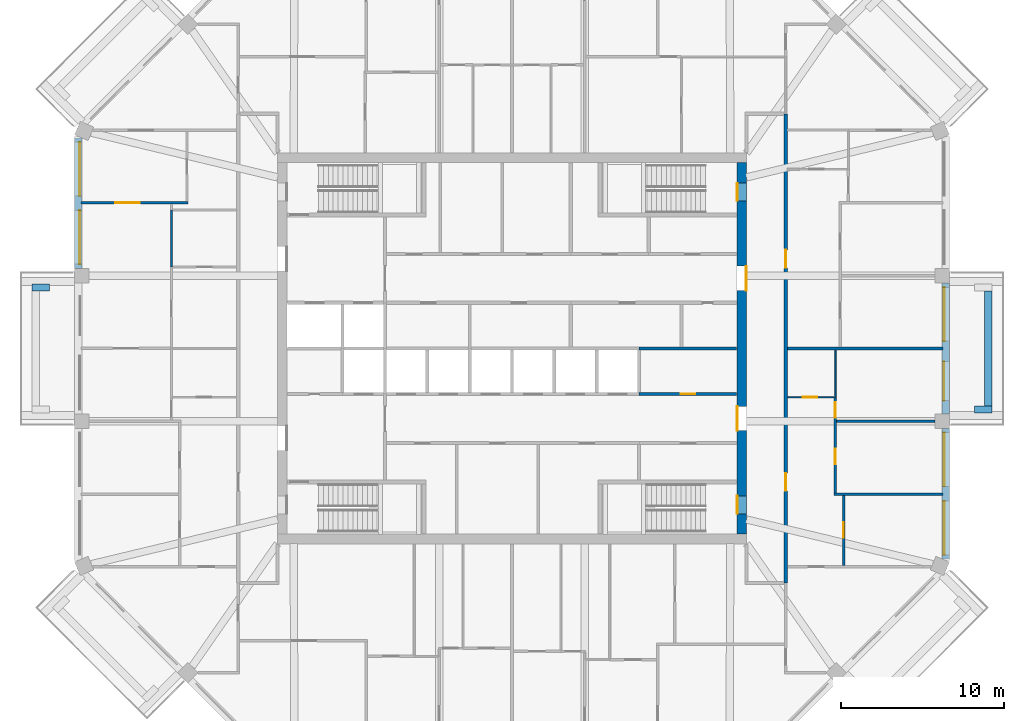
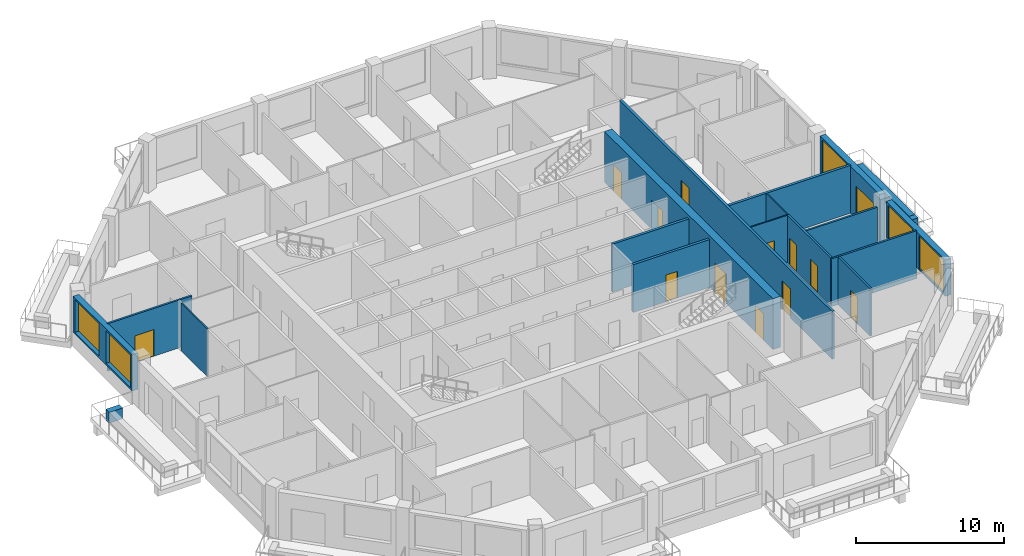
# One storey, part 6 of 12: 19 walls, 13 doors, 5 windows, 18 openings.
"""IFC4 building model written with IfcOpenShell, lengths in metres."""

from ifc_helpers import new_model, si_unit, direction, frame, frame_2d, origin, place, context, subcontext, project, spatial, rectangle, extrude, material, layer, layer_set, type_object, element, fill, save


model = new_model("IFC4")

# Units and contexts
model_context = context("Model", 3, precision=1e-05, world=origin(), true_north=direction((0.0, 1.0)))
body_context = subcontext(model_context, "Body", "Model", "MODEL_VIEW")
ifc_project = project(units=[si_unit("LENGTHUNIT", "METRE"), si_unit("AREAUNIT", "SQUARE_METRE"), si_unit("VOLUMEUNIT", "CUBIC_METRE"), si_unit("PLANEANGLEUNIT", "RADIAN"), si_unit("MASSUNIT", "GRAM", prefix="KILO")], contexts=[model_context])

# Site, building, storey
site_placement = place(None, origin())
site = spatial("IfcSite", under=ifc_project, at=site_placement, CompositionType="ELEMENT")
building_placement = place(site_placement, origin())
building = spatial("IfcBuilding", under=site, at=building_placement, Name="Msitu Wima Residences", CompositionType="ELEMENT")
storey_placement = place(building_placement, frame((0.0, 0.0, 251.699951171875)))
storey = spatial("IfcBuildingStorey", under=building, at=storey_placement, Name="L58", CompositionType="ELEMENT", Elevation=251.699951171875)

# Walls
ifc_material_1 = material(Name="Facing brick")
ifc_layer_1 = layer(ifc_material_1, 0.06494140625, Name="Facing brick")
ifc_material_2 = material(Name="Concrete C40/50", Category="concrete")
ifc_layer_2 = layer(ifc_material_2, 0.156005859375, Name="Concrete C40/50")
ifc_material_3 = material(Name="Waterproofing membrane")
ifc_layer_3 = layer(ifc_material_3, 0.00390625, Name="Waterproofing membrane")
ifc_material_4 = material(Name="Planting soil and planting")
ifc_layer_4 = layer(ifc_material_4, 0.22509765625, Name="Planting soil and planting")
ifc_layer_set_1 = layer_set([ifc_layer_1, ifc_layer_2, ifc_layer_3, ifc_layer_4], Name="Concrete C40/50")
wall_type_1 = type_object("IfcWallType", Name="Balcony planter PLANTER PL450", PredefinedType="USERDEFINED", material=ifc_layer_set_1)
wall_1_placement = place(storey_placement, frame((29.22509765625, -3.5185546875, 0.0), z_axis=(0.0, 0.0, 1.0), x_axis=(0.0, 1.0, 0.0)))
element("IfcWall", 1, at=wall_1_placement, inside=storey, type_object=wall_type_1, Name="Balcony planter E1 L58", ObjectType="PLANTER", PredefinedType="USERDEFINED", context=body_context, shape_type="SweptSolid", body=[
    extrude(rectangle(XDim=7.037109375, YDim=0.449951171875, at=frame_2d((3.5185546875, 0.0))), origin(), (0.0, 0.0, 1.0), 0.900146484375),
])
for number, where, z_axis, x_axis, name in (
    (2, (28.39990234375, -3.74365234375, 0.0), (0.0, 0.0, 1.0), (1.0, 0.0, 0.0), "Balcony planter E1 L58"),
    (3, (-28.39990234375, 3.74365234375, 0.0), (0.0, 0.0, 1.0), (-1.0, 0.0, 0.0), "Balcony planter W1 L58"),
):
    element("IfcWall", number, at=place(storey_placement, frame(where, z_axis=z_axis, x_axis=x_axis)), inside=storey, type_object=wall_type_1, Name=name, ObjectType="PLANTER", PredefinedType="USERDEFINED", context=body_context, shape_type="SweptSolid", body=[
        extrude(rectangle(XDim=1.050048828125, YDim=0.449951171875, at=frame_2d((0.52490234375, 0.0))), origin(), (0.0, 0.0, 1.0), 0.900146484375),
    ])

# Wall, openings, windows
ifc_material_5 = material(Name="Brick (red buff mix)", Category="masonry")
ifc_layer_5 = layer(ifc_material_5, 0.449951171875)
ifc_layer_set_2 = layer_set([ifc_layer_5], Name="Brick (red buff mix)")
wall_type_2 = type_object("IfcWallType", Name="Brick infill wall BW450", PredefinedType="SOLIDWALL", material=ifc_layer_set_2)
wall_2_placement = place(storey_placement, frame((26.625, -12.918701171875, 0.900146484375), z_axis=(0.0, 0.0, 1.0), x_axis=(0.0, 1.0, 0.0)))
wall_2 = element("IfcWall", 4, at=wall_2_placement, inside=storey, type_object=wall_type_2, Name="Brick infill wall L58 E0", PredefinedType="SOLIDWALL", context=body_context, shape_type="SweptSolid", body=[
    extrude(rectangle(XDim=8.0, YDim=0.449951171875, at=frame_2d((4.0, 0.0))), origin(), (0.0, 0.0, 1.0), 3.0),
])
opening_1_placement = place(wall_2_placement, frame((0.25, 0.0, 0.14990234375)))
opening_1 = element("IfcOpeningElement", 5, at=opening_1_placement, cuts=wall_2, Name="Opening W57-59.001", PredefinedType="OPENING", context=body_context, shape_type="SweptSolid", body=[
    extrude(rectangle(XDim=3.300048828125, YDim=2.699951171875, at=frame_2d((1.64990234375, 1.35009765625))), frame((0.0, 0.23486328125, 0.0), z_axis=(0.0, -1.0, 0.0), x_axis=(1.0, 0.0, 0.0)), (0.0, 0.0, 1.0), 0.469970703125),
])
opening_2_placement = place(wall_2_placement, frame((4.4501953125, 0.0, 0.14990234375)))
opening_2 = element("IfcOpeningElement", 6, at=opening_2_placement, cuts=wall_2, Name="Opening W57-59.002", PredefinedType="OPENING", context=body_context, shape_type="SweptSolid", body=[
    extrude(rectangle(XDim=3.300048828125, YDim=2.699951171875, at=frame_2d((1.64990234375, 1.35009765625))), frame((0.0, 0.23486328125, 0.0), z_axis=(0.0, -1.0, 0.0), x_axis=(1.0, 0.0, 0.0)), (0.0, 0.0, 1.0), 0.469970703125),
])
ifc_material_6 = material(Name="Anodised aluminium, bronze finish, clear low-emissivity double glazing", Category="aluminium")
window_type = type_object("IfcWindowType", Name="Window W3300x2700", PartitioningType="DOUBLE_PANEL_VERTICAL", PredefinedType="WINDOW", material=ifc_material_6)
window_1_placement = place(opening_1_placement, origin())
window_1 = element("IfcWindow", 7, at=window_1_placement, inside=storey, type_object=window_type, Name="Window L58 E0.1", OverallHeight=2.699951171875, OverallWidth=3.300048828125, PartitioningType="SINGLE_PANEL", PredefinedType="WINDOW", context=body_context, shape_type="SweptSolid", body=[
    extrude(rectangle(XDim=3.300048828125, YDim=2.699951171875, at=frame_2d((1.64990234375, 1.35009765625))), frame((0.0, 0.135009765625, 0.0), z_axis=(0.0, -1.0, 0.0), x_axis=(1.0, 0.0, 0.0)), (0.0, 0.0, 1.0), 0.06005859375),
])
fill(opening_1, window_1)
window_2_placement = place(opening_2_placement, origin())
window_2 = element("IfcWindow", 8, at=window_2_placement, inside=storey, type_object=window_type, Name="Window L58 E0.2", OverallHeight=2.699951171875, OverallWidth=3.300048828125, PartitioningType="SINGLE_PANEL", PredefinedType="WINDOW", context=body_context, shape_type="SweptSolid", body=[
    extrude(rectangle(XDim=3.300048828125, YDim=2.699951171875, at=frame_2d((1.64990234375, 1.35009765625))), frame((0.0, 0.135009765625, 0.0), z_axis=(0.0, -1.0, 0.0), x_axis=(1.0, 0.0, 0.0)), (0.0, 0.0, 1.0), 0.06005859375),
])
fill(opening_2, window_2)

# Wall, openings, door, window
wall_3_placement = place(storey_placement, frame((26.625, -4.0185546875, 0.0), z_axis=(0.0, 0.0, 1.0), x_axis=(0.0, 1.0, 0.0)))
wall_3 = element("IfcWall", 9, at=wall_3_placement, inside=storey, type_object=wall_type_2, Name="Brick infill wall L58 E1", PredefinedType="SOLIDWALL", context=body_context, shape_type="SweptSolid", body=[
    extrude(rectangle(XDim=8.037109375, YDim=0.449951171875, at=frame_2d((4.0185546875, 0.0))), origin(), (0.0, 0.0, 1.0), 3.900146484375),
])
opening_3_placement = place(wall_3_placement, frame((0.809326171875, 0.0, 0.0)))
opening_3 = element("IfcOpeningElement", 10, at=opening_3_placement, cuts=wall_3, Name="Opening D57-59.001", PredefinedType="OPENING", context=body_context, shape_type="SweptSolid", body=[
    extrude(rectangle(XDim=2.39990234375, YDim=2.699951171875, at=frame_2d((1.199951171875, 1.35009765625))), frame((0.0, 0.23486328125, 0.0), z_axis=(0.0, -1.0, 0.0), x_axis=(1.0, 0.0, 0.0)), (0.0, 0.0, 1.0), 0.469970703125),
])
opening_4_placement = place(wall_3_placement, frame((4.46875, 0.0, 1.050048828125)))
opening_4 = element("IfcOpeningElement", 11, at=opening_4_placement, cuts=wall_3, Name="Opening W57-59.003", PredefinedType="OPENING", context=body_context, shape_type="SweptSolid", body=[
    extrude(rectangle(XDim=3.300048828125, YDim=2.699951171875, at=frame_2d((1.64990234375, 1.35009765625))), frame((0.0, 0.23486328125, 0.0), z_axis=(0.0, -1.0, 0.0), x_axis=(1.0, 0.0, 0.0)), (0.0, 0.0, 1.0), 0.469970703125),
])
door_type_1 = type_object("IfcDoorType", Name="Balcony door D2400x2700", OperationType="SLIDING_TO_LEFT", PredefinedType="DOOR", material=ifc_material_6)
door_1_placement = place(opening_3_placement, origin())
door_1 = element("IfcDoor", 12, at=door_1_placement, inside=storey, type_object=door_type_1, Name="Balcony door L58 E1", OperationType="SINGLE_SWING_LEFT", OverallHeight=2.699951171875, OverallWidth=2.39990234375, PredefinedType="DOOR", context=body_context, shape_type="SweptSolid", body=[
    extrude(rectangle(XDim=2.39990234375, YDim=2.699951171875, at=frame_2d((1.199951171875, 1.35009765625))), frame((0.0, 0.1298828125, 0.0), z_axis=(0.0, -1.0, 0.0), x_axis=(1.0, 0.0, 0.0)), (0.0, 0.0, 1.0), 0.050048828125),
])
fill(opening_3, door_1)
window_3_placement = place(opening_4_placement, origin())
window_3 = element("IfcWindow", 13, at=window_3_placement, inside=storey, type_object=window_type, Name="Window L58 E1.2", OverallHeight=2.699951171875, OverallWidth=3.300048828125, PartitioningType="SINGLE_PANEL", PredefinedType="WINDOW", context=body_context, shape_type="SweptSolid", body=[
    extrude(rectangle(XDim=3.300048828125, YDim=2.699951171875, at=frame_2d((1.64990234375, 1.35009765625))), frame((0.0, 0.135009765625, 0.0), z_axis=(0.0, -1.0, 0.0), x_axis=(1.0, 0.0, 0.0)), (0.0, 0.0, 1.0), 0.06005859375),
])
fill(opening_4, window_3)

# Wall, openings, windows
wall_4_placement = place(storey_placement, frame((-26.625, 12.918701171875, 0.900146484375), z_axis=(0.0, 0.0, 1.0), x_axis=(0.0, -1.0, 0.0)))
wall_4 = element("IfcWall", 14, at=wall_4_placement, inside=storey, type_object=wall_type_2, Name="Brick infill wall L58 W0", PredefinedType="SOLIDWALL", context=body_context, shape_type="SweptSolid", body=[
    extrude(rectangle(XDim=8.0, YDim=0.449951171875, at=frame_2d((4.0, 0.0))), origin(), (0.0, 0.0, 1.0), 3.0),
])
opening_5_placement = place(wall_4_placement, frame((0.25, 0.0, 0.14990234375)))
opening_5 = element("IfcOpeningElement", 15, at=opening_5_placement, cuts=wall_4, Name="Opening W57-59.026", PredefinedType="OPENING", context=body_context, shape_type="SweptSolid", body=[
    extrude(rectangle(XDim=3.300048828125, YDim=2.699951171875, at=frame_2d((1.64990234375, 1.35009765625))), frame((0.0, 0.23486328125, 0.0), z_axis=(0.0, -1.0, 0.0), x_axis=(1.0, 0.0, 0.0)), (0.0, 0.0, 1.0), 0.469970703125),
])
opening_6_placement = place(wall_4_placement, frame((4.4501953125, 0.0, 0.14990234375)))
opening_6 = element("IfcOpeningElement", 16, at=opening_6_placement, cuts=wall_4, Name="Opening W57-59.027", PredefinedType="OPENING", context=body_context, shape_type="SweptSolid", body=[
    extrude(rectangle(XDim=3.300048828125, YDim=2.699951171875, at=frame_2d((1.64990234375, 1.35009765625))), frame((0.0, 0.23486328125, 0.0), z_axis=(0.0, -1.0, 0.0), x_axis=(1.0, 0.0, 0.0)), (0.0, 0.0, 1.0), 0.469970703125),
])
window_4_placement = place(opening_5_placement, origin())
window_4 = element("IfcWindow", 17, at=window_4_placement, inside=storey, type_object=window_type, Name="Window L58 W0.1", OverallHeight=2.699951171875, OverallWidth=3.300048828125, PartitioningType="SINGLE_PANEL", PredefinedType="WINDOW", context=body_context, shape_type="SweptSolid", body=[
    extrude(rectangle(XDim=3.300048828125, YDim=2.699951171875, at=frame_2d((1.64990234375, 1.35009765625))), frame((0.0, 0.135009765625, 0.0), z_axis=(0.0, -1.0, 0.0), x_axis=(1.0, 0.0, 0.0)), (0.0, 0.0, 1.0), 0.06005859375),
])
fill(opening_5, window_4)
window_5_placement = place(opening_6_placement, origin())
window_5 = element("IfcWindow", 18, at=window_5_placement, inside=storey, type_object=window_type, Name="Window L58 W0.2", OverallHeight=2.699951171875, OverallWidth=3.300048828125, PartitioningType="SINGLE_PANEL", PredefinedType="WINDOW", context=body_context, shape_type="SweptSolid", body=[
    extrude(rectangle(XDim=3.300048828125, YDim=2.699951171875, at=frame_2d((1.64990234375, 1.35009765625))), frame((0.0, 0.135009765625, 0.0), z_axis=(0.0, -1.0, 0.0), x_axis=(1.0, 0.0, 0.0)), (0.0, 0.0, 1.0), 0.06005859375),
])
fill(opening_6, window_5)

# Wall, openings, doors
ifc_material_7 = material(Name="Concrete C50/60", Category="concrete")
ifc_layer_6 = layer(ifc_material_7, 0.60009765625)
ifc_layer_set_3 = layer_set([ifc_layer_6], Name="Concrete C50/60")
wall_type_3 = type_object("IfcWallType", Name="Core wall CW600 C50/60", PredefinedType="SHEAR", material=ifc_layer_set_3)
wall_5_placement = place(storey_placement, frame((14.10009765625, -11.39990234375, 0.0), z_axis=(0.0, 0.0, 1.0), x_axis=(0.0, 1.0, 0.0)))
wall_5 = element("IfcWall", 19, at=wall_5_placement, inside=storey, type_object=wall_type_3, Name="Core wall", PredefinedType="SHEAR", context=body_context, shape_type="SweptSolid", body=[
    extrude(rectangle(XDim=22.7998046875, YDim=0.60009765625, at=frame_2d((11.39990234375, 0.0))), origin(), (0.0, 0.0, 1.0), 4.199951171875),
])
opening_7_placement = place(wall_5_placement, frame((20.449951171875, 0.0, 0.0)))
opening_7 = element("IfcOpeningElement", 20, at=opening_7_placement, cuts=wall_5, Name="Opening D57-59.088", PredefinedType="OPENING", context=body_context, shape_type="SweptSolid", body=[
    extrude(rectangle(XDim=1.10009765625, YDim=2.199951171875, at=frame_2d((0.550048828125, 1.10009765625))), frame((0.0, 0.31005859375, 0.0), z_axis=(0.0, -1.0, 0.0), x_axis=(1.0, 0.0, 0.0)), (0.0, 0.0, 1.0), 0.6201171875),
])
opening_8_placement = place(wall_5_placement, frame((1.25, 0.0, 0.0)))
opening_8 = element("IfcOpeningElement", 21, at=opening_8_placement, cuts=wall_5, Name="Opening D57-59.089", PredefinedType="OPENING", context=body_context, shape_type="SweptSolid", body=[
    extrude(rectangle(XDim=1.10009765625, YDim=2.199951171875, at=frame_2d((0.550048828125, 1.10009765625))), frame((0.0, 0.31005859375, 0.0), z_axis=(0.0, -1.0, 0.0), x_axis=(1.0, 0.0, 0.0)), (0.0, 0.0, 1.0), 0.6201171875),
])
opening_9_placement = place(wall_5_placement, frame((14.949951171875, 0.0, 0.0)))
opening_9 = element("IfcOpeningElement", 22, at=opening_9_placement, cuts=wall_5, Name="Opening D57-59.077", PredefinedType="OPENING", context=body_context, shape_type="SweptSolid", body=[
    extrude(rectangle(XDim=1.5, YDim=2.39990234375, at=frame_2d((0.75, 1.199951171875))), frame((0.0, 0.31005859375, 0.0), z_axis=(0.0, -1.0, 0.0), x_axis=(1.0, 0.0, 0.0)), (0.0, 0.0, 1.0), 0.6201171875),
])
opening_10_placement = place(wall_5_placement, frame((6.35009765625, 0.0, 0.0)))
opening_10 = element("IfcOpeningElement", 23, at=opening_10_placement, cuts=wall_5, Name="Opening D57-59.078", PredefinedType="OPENING", context=body_context, shape_type="SweptSolid", body=[
    extrude(rectangle(XDim=1.5, YDim=2.39990234375, at=frame_2d((0.75, 1.199951171875))), frame((0.0, 0.31005859375, 0.0), z_axis=(0.0, -1.0, 0.0), x_axis=(1.0, 0.0, 0.0)), (0.0, 0.0, 1.0), 0.6201171875),
])
ifc_material_8 = material(Name="Steel framed glazed door, fire resisting", Category="steel")
door_type_2 = type_object("IfcDoorType", Name="Lobby door D07 1500x2400", OperationType="DOUBLE_DOOR_SINGLE_SWING", PredefinedType="DOOR", material=ifc_material_8)
door_2_placement = place(opening_9_placement, origin())
door_2 = element("IfcDoor", 24, at=door_2_placement, inside=storey, type_object=door_type_2, Name="Lobby door", OperationType="DOUBLE_DOOR_SINGLE_SWING", OverallHeight=2.39990234375, OverallWidth=1.5, PredefinedType="DOOR", context=body_context, shape_type="SweptSolid", body=[
    extrude(rectangle(XDim=1.5, YDim=2.39990234375, at=frame_2d((0.75, 1.199951171875))), frame((0.0, -0.2451171875, 0.0), z_axis=(0.0, -1.0, 0.0), x_axis=(1.0, 0.0, 0.0)), (0.0, 0.0, 1.0), 0.050048828125),
])
fill(opening_9, door_2)
door_3_placement = place(opening_10_placement, origin())
door_3 = element("IfcDoor", 25, at=door_3_placement, inside=storey, type_object=door_type_2, Name="Lobby door", OperationType="DOUBLE_DOOR_SINGLE_SWING", OverallHeight=2.39990234375, OverallWidth=1.5, PredefinedType="DOOR", context=body_context, shape_type="SweptSolid", body=[
    extrude(rectangle(XDim=1.5, YDim=2.39990234375, at=frame_2d((0.75, 1.199951171875))), frame((0.0, 0.294921875, 0.0), z_axis=(0.0, -1.0, 0.0), x_axis=(1.0, 0.0, 0.0)), (0.0, 0.0, 1.0), 0.050048828125),
])
fill(opening_10, door_3)
ifc_material_9 = material(Name="Steel door, fire resisting, panic bar", Category="steel")
door_type_3 = type_object("IfcDoorType", Name="Stair door D06 1100x2200", OperationType="SINGLE_SWING_LEFT", PredefinedType="DOOR", material=ifc_material_9)
door_4_placement = place(opening_7_placement, origin())
door_4 = element("IfcDoor", 26, at=door_4_placement, inside=storey, type_object=door_type_3, Name="Stair door", OperationType="SINGLE_SWING_LEFT", OverallHeight=2.199951171875, OverallWidth=1.10009765625, PredefinedType="DOOR", context=body_context, shape_type="SweptSolid", body=[
    extrude(rectangle(XDim=1.10009765625, YDim=2.199951171875, at=frame_2d((0.550048828125, 1.10009765625))), frame((0.0, 0.294921875, 0.0), z_axis=(0.0, -1.0, 0.0), x_axis=(1.0, 0.0, 0.0)), (0.0, 0.0, 1.0), 0.050048828125),
])
fill(opening_7, door_4)
door_5_placement = place(opening_8_placement, origin())
door_5 = element("IfcDoor", 27, at=door_5_placement, inside=storey, type_object=door_type_3, Name="Stair door", OperationType="SINGLE_SWING_RIGHT", OverallHeight=2.199951171875, OverallWidth=1.10009765625, PredefinedType="DOOR", context=body_context, shape_type="SweptSolid", body=[
    extrude(rectangle(XDim=1.10009765625, YDim=2.199951171875, at=frame_2d((0.550048828125, 1.10009765625))), frame((0.0, 0.294921875, 0.0), z_axis=(0.0, -1.0, 0.0), x_axis=(1.0, 0.0, 0.0)), (0.0, 0.0, 1.0), 0.050048828125),
])
fill(opening_8, door_5)

ifc_material_10 = material(Name="Plaster")
ifc_layer_7 = layer(ifc_material_10, 0.011962890625, Name="Plaster")
ifc_material_11 = material(Name="Concrete blockwork", Category="masonry")
ifc_layer_8 = layer(ifc_material_11, 0.176025390625, Name="Concrete blockwork")
ifc_layer_9 = layer(ifc_material_10, 0.011962890625, Name="Plaster")
ifc_layer_set_4 = layer_set([ifc_layer_7, ifc_layer_8, ifc_layer_9], Name="Concrete blockwork")
wall_type_4 = type_object("IfcWallType", Name="Corridor wall FW200", PredefinedType="PARTITIONING", material=ifc_layer_set_4)
wall_6_placement = place(storey_placement, frame((16.800048828125, -14.39990234375, 0.0), z_axis=(0.0, 0.0, 1.0), x_axis=(0.0, 1.0, 0.0)))
wall_6 = element("IfcWall", 28, at=wall_6_placement, inside=storey, type_object=wall_type_4, Name="Corridor wall", PredefinedType="PARTITIONING", context=body_context, shape_type="SweptSolid", body=[
    extrude(rectangle(XDim=28.7998046875, YDim=0.199951171875, at=frame_2d((14.39990234375, 0.0))), origin(), (0.0, 0.0, 1.0), 3.949951171875),
])
opening_11_placement = place(wall_6_placement, frame((19.35009765625, 0.0, 0.0)))
opening_11 = element("IfcOpeningElement", 29, at=opening_11_placement, cuts=wall_6, Name="Opening D57-59.011", PredefinedType="OPENING", context=body_context, shape_type="SweptSolid", body=[
    extrude(rectangle(XDim=1.10009765625, YDim=2.39990234375, at=frame_2d((0.550048828125, 1.199951171875))), frame((0.0, 0.10986328125, 0.0), z_axis=(0.0, -1.0, 0.0), x_axis=(1.0, 0.0, 0.0)), (0.0, 0.0, 1.0), 0.219970703125),
])
opening_12_placement = place(wall_6_placement, frame((5.64990234375, 0.0, 0.0)))
opening_12 = element("IfcOpeningElement", 30, at=opening_12_placement, cuts=wall_6, Name="Opening D57-59.050", PredefinedType="OPENING", context=body_context, shape_type="SweptSolid", body=[
    extrude(rectangle(XDim=1.10009765625, YDim=2.39990234375, at=frame_2d((0.550048828125, 1.199951171875))), frame((0.0, 0.10986328125, 0.0), z_axis=(0.0, -1.0, 0.0), x_axis=(1.0, 0.0, 0.0)), (0.0, 0.0, 1.0), 0.219970703125),
])
ifc_material_12 = material(Name="Timber flush door, fire resisting, self-closing", Category="wood")
door_type_4 = type_object("IfcDoorType", Name="Flat entrance door D01 1100x2400", OperationType="SINGLE_SWING_LEFT", PredefinedType="DOOR", material=ifc_material_12)
door_6_placement = place(opening_11_placement, origin())
door_6 = element("IfcDoor", 31, at=door_6_placement, inside=storey, type_object=door_type_4, Name="Flat entrance door", OperationType="SINGLE_SWING_LEFT", OverallHeight=2.39990234375, OverallWidth=1.10009765625, PredefinedType="DOOR", context=body_context, shape_type="SweptSolid", body=[
    extrude(rectangle(XDim=1.10009765625, YDim=2.39990234375, at=frame_2d((0.550048828125, 1.199951171875))), frame((0.0, 0.02490234375, 0.0), z_axis=(0.0, -1.0, 0.0), x_axis=(1.0, 0.0, 0.0)), (0.0, 0.0, 1.0), 0.050048828125),
])
fill(opening_11, door_6)
door_7_placement = place(opening_12_placement, origin())
door_7 = element("IfcDoor", 32, at=door_7_placement, inside=storey, type_object=door_type_4, Name="Flat entrance door", OperationType="SINGLE_SWING_RIGHT", OverallHeight=2.39990234375, OverallWidth=1.10009765625, PredefinedType="DOOR", context=body_context, shape_type="SweptSolid", body=[
    extrude(rectangle(XDim=1.10009765625, YDim=2.39990234375, at=frame_2d((0.550048828125, 1.199951171875))), frame((0.0, 0.02490234375, 0.0), z_axis=(0.0, -1.0, 0.0), x_axis=(1.0, 0.0, 0.0)), (0.0, 0.0, 1.0), 0.050048828125),
])
fill(opening_12, door_7)

# Wall, opening, door
ifc_layer_10 = layer(ifc_material_10, 0.011962890625, Name="Plaster")
ifc_layer_11 = layer(ifc_material_11, 0.1259765625, Name="Concrete blockwork")
ifc_layer_12 = layer(ifc_material_10, 0.011962890625, Name="Plaster")
ifc_layer_set_5 = layer_set([ifc_layer_10, ifc_layer_11, ifc_layer_12], Name="Concrete blockwork")
wall_type_5 = type_object("IfcWallType", Name="Partition PW150", PredefinedType="PARTITIONING", material=ifc_layer_set_5)
wall_7_placement = place(storey_placement, frame((-26.455078125, 8.937255859375, 0.0), z_axis=(0.0, 0.0, 1.0), x_axis=(1.0, 0.0, 0.0)))
wall_7 = element("IfcWall", 33, at=wall_7_placement, inside=storey, type_object=wall_type_5, Name="Partition", PredefinedType="PARTITIONING", context=body_context, shape_type="SweptSolid", body=[
    extrude(rectangle(XDim=6.580078125, YDim=0.14990234375, at=frame_2d((3.2900390625, 0.0))), origin(), (0.0, 0.0, 1.0), 3.949951171875),
])
opening_13_placement = place(wall_7_placement, frame((2.10009765625, 0.0, 0.0)))
opening_13 = element("IfcOpeningElement", 34, at=opening_13_placement, cuts=wall_7, Name="Opening D57-59.047", PredefinedType="OPENING", context=body_context, shape_type="SweptSolid", body=[
    extrude(rectangle(XDim=1.5, YDim=2.199951171875, at=frame_2d((0.75, 1.10009765625))), frame((0.0, 0.0849609375, 0.0), z_axis=(0.0, -1.0, 0.0), x_axis=(1.0, 0.0, 0.0)), (0.0, 0.0, 1.0), 0.169921875),
])
ifc_material_13 = material(Name="Timber double door", Category="wood")
door_type_5 = type_object("IfcDoorType", Name="Double door D04 1500x2200", OperationType="DOUBLE_DOOR_SINGLE_SWING", PredefinedType="DOOR", material=ifc_material_13)
door_8_placement = place(opening_13_placement, origin())
door_8 = element("IfcDoor", 35, at=door_8_placement, inside=storey, type_object=door_type_5, Name="Double door", OperationType="DOUBLE_DOOR_SINGLE_SWING", OverallHeight=2.199951171875, OverallWidth=1.5, PredefinedType="DOOR", context=body_context, shape_type="SweptSolid", body=[
    extrude(rectangle(XDim=1.5, YDim=2.199951171875, at=frame_2d((0.75, 1.10009765625))), frame((0.0, 0.02490234375, 0.0), z_axis=(0.0, -1.0, 0.0), x_axis=(1.0, 0.0, 0.0)), (0.0, 0.0, 1.0), 0.050048828125),
])
fill(opening_13, door_8)

# Wall, openings, doors
wall_8_placement = place(storey_placement, frame((19.85009765625, -8.8623046875, 0.0), z_axis=(0.0, 0.0, 1.0), x_axis=(0.0, 1.0, 0.0)))
wall_8 = element("IfcWall", 36, at=wall_8_placement, inside=storey, type_object=wall_type_5, Name="Partition", PredefinedType="PARTITIONING", context=body_context, shape_type="SweptSolid", body=[
    extrude(rectangle(XDim=5.8623046875, YDim=0.14990234375, at=frame_2d((2.93115234375, 0.0))), origin(), (0.0, 0.0, 1.0), 3.949951171875),
])
opening_14_placement = place(wall_8_placement, frame((4.60009765625, 0.0, 0.0)))
opening_14 = element("IfcOpeningElement", 37, at=opening_14_placement, cuts=wall_8, Name="Opening D57-59.055", PredefinedType="OPENING", context=body_context, shape_type="SweptSolid", body=[
    extrude(rectangle(XDim=0.949951171875, YDim=2.199951171875, at=frame_2d((0.47509765625, 1.10009765625))), frame((0.0, 0.0849609375, 0.0), z_axis=(0.0, -1.0, 0.0), x_axis=(1.0, 0.0, 0.0)), (0.0, 0.0, 1.0), 0.169921875),
])
opening_15_placement = place(wall_8_placement, frame((1.75, 0.0, 0.0)))
opening_15 = element("IfcOpeningElement", 38, at=opening_15_placement, cuts=wall_8, Name="Opening D57-59.056", PredefinedType="OPENING", context=body_context, shape_type="SweptSolid", body=[
    extrude(rectangle(XDim=0.949951171875, YDim=2.199951171875, at=frame_2d((0.47509765625, 1.10009765625))), frame((0.0, 0.0849609375, 0.0), z_axis=(0.0, -1.0, 0.0), x_axis=(1.0, 0.0, 0.0)), (0.0, 0.0, 1.0), 0.169921875),
])
ifc_material_14 = material(Name="Timber flush door", Category="wood")
door_type_6 = type_object("IfcDoorType", Name="Room door D12 950x2200", OperationType="SINGLE_SWING_LEFT", PredefinedType="DOOR", material=ifc_material_14)
door_9_placement = place(opening_14_placement, origin())
door_9 = element("IfcDoor", 39, at=door_9_placement, inside=storey, type_object=door_type_6, Name="Room door", OperationType="SINGLE_SWING_RIGHT", OverallHeight=2.199951171875, OverallWidth=0.949951171875, PredefinedType="DOOR", context=body_context, shape_type="SweptSolid", body=[
    extrude(rectangle(XDim=0.949951171875, YDim=2.199951171875, at=frame_2d((0.47509765625, 1.10009765625))), frame((0.0, 0.02490234375, 0.0), z_axis=(0.0, -1.0, 0.0), x_axis=(1.0, 0.0, 0.0)), (0.0, 0.0, 1.0), 0.050048828125),
])
fill(opening_14, door_9)
door_10_placement = place(opening_15_placement, origin())
door_10 = element("IfcDoor", 40, at=door_10_placement, inside=storey, type_object=door_type_6, Name="Room door", OperationType="SINGLE_SWING_LEFT", OverallHeight=2.199951171875, OverallWidth=0.949951171875, PredefinedType="DOOR", context=body_context, shape_type="SweptSolid", body=[
    extrude(rectangle(XDim=0.949951171875, YDim=2.199951171875, at=frame_2d((0.47509765625, 1.10009765625))), frame((0.0, 0.02490234375, 0.0), z_axis=(0.0, -1.0, 0.0), x_axis=(1.0, 0.0, 0.0)), (0.0, 0.0, 1.0), 0.050048828125),
])
fill(opening_15, door_10)

# Walls
wall_9_placement = place(storey_placement, frame((19.77490234375, -8.937255859375, 0.0), z_axis=(0.0, 0.0, 1.0), x_axis=(1.0, 0.0, 0.0)))
element("IfcWall", 41, at=wall_9_placement, inside=storey, type_object=wall_type_5, Name="Partition", PredefinedType="PARTITIONING", context=body_context, shape_type="SweptSolid", body=[
    extrude(rectangle(XDim=6.68017578125, YDim=0.14990234375, at=frame_2d((3.340087890625, 0.0))), origin(), (0.0, 0.0, 1.0), 3.949951171875),
])
wall_10_placement = place(storey_placement, frame((19.925048828125, -4.46875, 0.0), z_axis=(0.0, 0.0, 1.0), x_axis=(1.0, 0.0, 0.0)))
element("IfcWall", 42, at=wall_10_placement, inside=storey, type_object=wall_type_5, Name="Partition", PredefinedType="PARTITIONING", context=body_context, shape_type="SweptSolid", body=[
    extrude(rectangle(XDim=6.02490234375, YDim=0.14990234375, at=frame_2d((3.012451171875, 0.0))), origin(), (0.0, 0.0, 1.0), 3.35009765625),
])

# Wall, opening, door
wall_11_placement = place(storey_placement, frame((20.35009765625, -13.330810546875, 0.0), z_axis=(0.0, 0.0, 1.0), x_axis=(0.0, 1.0, 0.0)))
wall_11 = element("IfcWall", 43, at=wall_11_placement, inside=storey, type_object=wall_type_5, Name="Partition", PredefinedType="PARTITIONING", context=body_context, shape_type="SweptSolid", body=[
    extrude(rectangle(XDim=4.318603515625, YDim=0.14990234375, at=frame_2d((2.1591796875, 0.0))), origin(), (0.0, 0.0, 1.0), 3.949951171875),
])
opening_16_placement = place(wall_11_placement, frame((1.699951171875, 0.0, 0.0)))
opening_16 = element("IfcOpeningElement", 44, at=opening_16_placement, cuts=wall_11, Name="Opening D57-59.057", PredefinedType="OPENING", context=body_context, shape_type="SweptSolid", body=[
    extrude(rectangle(XDim=0.949951171875, YDim=2.199951171875, at=frame_2d((0.47509765625, 1.10009765625))), frame((0.0, 0.0849609375, 0.0), z_axis=(0.0, -1.0, 0.0), x_axis=(1.0, 0.0, 0.0)), (0.0, 0.0, 1.0), 0.169921875),
])
door_11_placement = place(opening_16_placement, origin())
door_11 = element("IfcDoor", 45, at=door_11_placement, inside=storey, type_object=door_type_6, Name="Room door", OperationType="SINGLE_SWING_LEFT", OverallHeight=2.199951171875, OverallWidth=0.949951171875, PredefinedType="DOOR", context=body_context, shape_type="SweptSolid", body=[
    extrude(rectangle(XDim=0.949951171875, YDim=2.199951171875, at=frame_2d((0.47509765625, 1.10009765625))), frame((0.0, 0.02490234375, 0.0), z_axis=(0.0, -1.0, 0.0), x_axis=(1.0, 0.0, 0.0)), (0.0, 0.0, 1.0), 0.050048828125),
])
fill(opening_16, door_11)

# Wall
ifc_layer_13 = layer(ifc_material_10, 0.011962890625, Name="Plaster")
ifc_material_15 = material(Name="Dense concrete blockwork", Category="masonry")
ifc_layer_14 = layer(ifc_material_15, 0.176025390625, Name="Dense concrete blockwork")
ifc_layer_15 = layer(ifc_material_10, 0.011962890625, Name="Plaster")
ifc_layer_set_6 = layer_set([ifc_layer_13, ifc_layer_14, ifc_layer_15], Name="Dense concrete blockwork")
wall_type_6 = type_object("IfcWallType", Name="Party wall PW200", PredefinedType="PARTITIONING", material=ifc_layer_set_6)
wall_12_placement = place(storey_placement, frame((16.89990234375, 0.0, 0.0), z_axis=(0.0, 0.0, 1.0), x_axis=(1.0, 0.0, 0.0)))
element("IfcWall", 46, at=wall_12_placement, inside=storey, type_object=wall_type_6, Name="Party wall", PredefinedType="PARTITIONING", context=body_context, shape_type="SweptSolid", body=[
    extrude(rectangle(XDim=9.55517578125, YDim=0.199951171875, at=frame_2d((4.777587890625, 0.0))), origin(), (0.0, 0.0, 1.0), 3.949951171875),
])

# Wall, opening, door
ifc_layer_16 = layer(ifc_material_10, 0.011962890625, Name="Plaster")
ifc_material_16 = material(Name="Reinforced concrete blockwork", Category="masonry")
ifc_layer_17 = layer(ifc_material_16, 0.176025390625, Name="Reinforced concrete blockwork")
ifc_layer_18 = layer(ifc_material_10, 0.011962890625, Name="Plaster")
ifc_layer_set_7 = layer_set([ifc_layer_16, ifc_layer_17, ifc_layer_18], Name="Reinforced concrete blockwork")
wall_type_7 = type_object("IfcWallType", Name="Plant and riser wall PL200", PredefinedType="PARTITIONING", material=ifc_layer_set_7)
wall_13_placement = place(storey_placement, frame((7.800048828125, -2.800048828125, 0.0), z_axis=(0.0, 0.0, 1.0), x_axis=(1.0, 0.0, 0.0)))
wall_13 = element("IfcWall", 47, at=wall_13_placement, inside=storey, type_object=wall_type_7, Name="Plant and riser wall", PredefinedType="PARTITIONING", context=body_context, shape_type="SweptSolid", body=[
    extrude(rectangle(XDim=5.969970703125, YDim=0.199951171875, at=frame_2d((2.98486328125, 0.0))), origin(), (0.0, 0.0, 1.0), 3.949951171875),
])
opening_17_placement = place(wall_13_placement, frame((2.550048828125, 0.0, 0.0)))
opening_17 = element("IfcOpeningElement", 48, at=opening_17_placement, cuts=wall_13, Name="Opening D57-59.063", PredefinedType="OPENING", context=body_context, shape_type="SweptSolid", body=[
    extrude(rectangle(XDim=0.89990234375, YDim=2.199951171875, at=frame_2d((0.449951171875, 1.10009765625))), frame((0.0, 0.10986328125, 0.0), z_axis=(0.0, -1.0, 0.0), x_axis=(1.0, 0.0, 0.0)), (0.0, 0.0, 1.0), 0.219970703125),
])
door_type_7 = type_object("IfcDoorType", Name="Service door D05 900x2200", OperationType="SINGLE_SWING_LEFT", PredefinedType="DOOR", material=ifc_material_14)
door_12_placement = place(opening_17_placement, origin())
door_12 = element("IfcDoor", 49, at=door_12_placement, inside=storey, type_object=door_type_7, Name="Service door", OperationType="SINGLE_SWING_LEFT", OverallHeight=2.199951171875, OverallWidth=0.89990234375, PredefinedType="DOOR", context=body_context, shape_type="SweptSolid", body=[
    extrude(rectangle(XDim=0.89990234375, YDim=2.199951171875, at=frame_2d((0.449951171875, 1.10009765625))), frame((0.0, 0.02490234375, 0.0), z_axis=(0.0, -1.0, 0.0), x_axis=(1.0, 0.0, 0.0)), (0.0, 0.0, 1.0), 0.050048828125),
])
fill(opening_17, door_12)

# Walls
wall_14_placement = place(storey_placement, frame((7.800048828125, 0.0, 0.0), z_axis=(0.0, 0.0, 1.0), x_axis=(1.0, 0.0, 0.0)))
element("IfcWall", 50, at=wall_14_placement, inside=storey, type_object=wall_type_7, Name="Plant and riser wall", PredefinedType="PARTITIONING", context=body_context, shape_type="SweptSolid", body=[
    extrude(rectangle(XDim=5.969970703125, YDim=0.199951171875, at=frame_2d((2.98486328125, 0.0))), origin(), (0.0, 0.0, 1.0), 3.949951171875),
])
ifc_material_17 = material(Name="Ceramic tiles")
ifc_layer_19 = layer(ifc_material_17, 0.008056640625, Name="Ceramic tiles")
ifc_material_18 = material(Name="Moisture-resistant board")
ifc_layer_20 = layer(ifc_material_18, 0.012451171875, Name="Moisture-resistant board")
ifc_material_19 = material(Name="Light-gauge stud framing with mineral wool")
ifc_layer_21 = layer(ifc_material_19, 0.06689453125, Name="Light-gauge stud framing with mineral wool")
ifc_layer_22 = layer(ifc_material_18, 0.012451171875, Name="Moisture-resistant board")
ifc_layer_set_8 = layer_set([ifc_layer_19, ifc_layer_20, ifc_layer_21, ifc_layer_22], Name="Light-gauge stud framing with mineral wool")
wall_type_8 = type_object("IfcWallType", Name="Wet wall PW100", PredefinedType="PARTITIONING", material=ifc_layer_set_8)
wall_15_placement = place(storey_placement, frame((-20.89990234375, 5.0, 0.0), z_axis=(0.0, 0.0, 1.0), x_axis=(0.0, 1.0, 0.0)))
element("IfcWall", 51, at=wall_15_placement, inside=storey, type_object=wall_type_8, Name="Wet wall", PredefinedType="PARTITIONING", context=body_context, shape_type="SweptSolid", body=[
    extrude(rectangle(XDim=3.5, YDim=0.10009765625, at=frame_2d((1.75, 0.0))), origin(), (0.0, 0.0, 1.0), 3.949951171875),
])

# Wall, opening, door
wall_16_placement = place(storey_placement, frame((16.89990234375, -3.0, 0.0), z_axis=(0.0, 0.0, 1.0), x_axis=(1.0, 0.0, 0.0)))
wall_16 = element("IfcWall", 52, at=wall_16_placement, inside=storey, type_object=wall_type_8, Name="Wet wall", PredefinedType="PARTITIONING", context=body_context, shape_type="SweptSolid", body=[
    extrude(rectangle(XDim=2.875, YDim=0.10009765625, at=frame_2d((1.4375, 0.0))), origin(), (0.0, 0.0, 1.0), 3.949951171875),
])
opening_18_placement = place(wall_16_placement, frame((0.949951171875, 0.0, 0.0)))
opening_18 = element("IfcOpeningElement", 53, at=opening_18_placement, cuts=wall_16, Name="Opening D57-59.051", PredefinedType="OPENING", context=body_context, shape_type="SweptSolid", body=[
    extrude(rectangle(XDim=0.89990234375, YDim=2.199951171875, at=frame_2d((0.449951171875, 1.10009765625))), frame((0.0, 0.06005859375, 0.0), z_axis=(0.0, -1.0, 0.0), x_axis=(1.0, 0.0, 0.0)), (0.0, 0.0, 1.0), 0.1201171875),
])
ifc_material_20 = material(Name="Timber flush door, moisture resistant", Category="wood")
door_type_8 = type_object("IfcDoorType", Name="Bathroom door D03 900x2200", OperationType="SINGLE_SWING_LEFT", PredefinedType="DOOR", material=ifc_material_20)
door_13_placement = place(opening_18_placement, origin())
door_13 = element("IfcDoor", 54, at=door_13_placement, inside=storey, type_object=door_type_8, Name="Bathroom door", OperationType="SINGLE_SWING_LEFT", OverallHeight=2.199951171875, OverallWidth=0.89990234375, PredefinedType="DOOR", context=body_context, shape_type="SweptSolid", body=[
    extrude(rectangle(XDim=0.89990234375, YDim=2.199951171875, at=frame_2d((0.449951171875, 1.10009765625))), frame((0.0, 0.02490234375, 0.0), z_axis=(0.0, -1.0, 0.0), x_axis=(1.0, 0.0, 0.0)), (0.0, 0.0, 1.0), 0.050048828125),
])
fill(opening_18, door_13)

# Wall
wall_17_placement = place(storey_placement, frame((19.85009765625, -3.0, 0.0), z_axis=(0.0, 0.0, 1.0), x_axis=(0.0, 1.0, 0.0)))
element("IfcWall", 55, at=wall_17_placement, inside=storey, type_object=wall_type_8, Name="Wet wall", PredefinedType="PARTITIONING", context=body_context, shape_type="SweptSolid", body=[
    extrude(rectangle(XDim=2.89990234375, YDim=0.10009765625, at=frame_2d((1.449951171875, 0.0))), origin(), (0.0, 0.0, 1.0), 3.949951171875),
])

save(model, "model.ifc")
